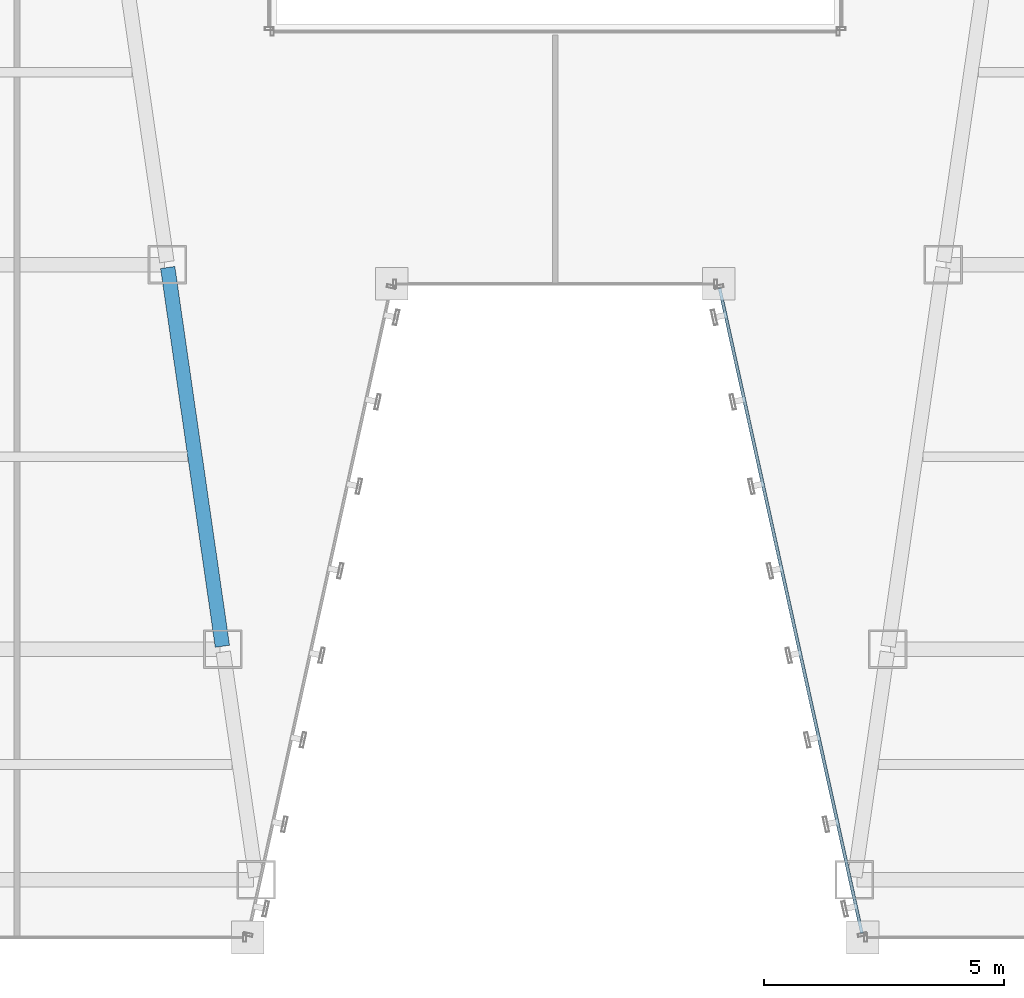
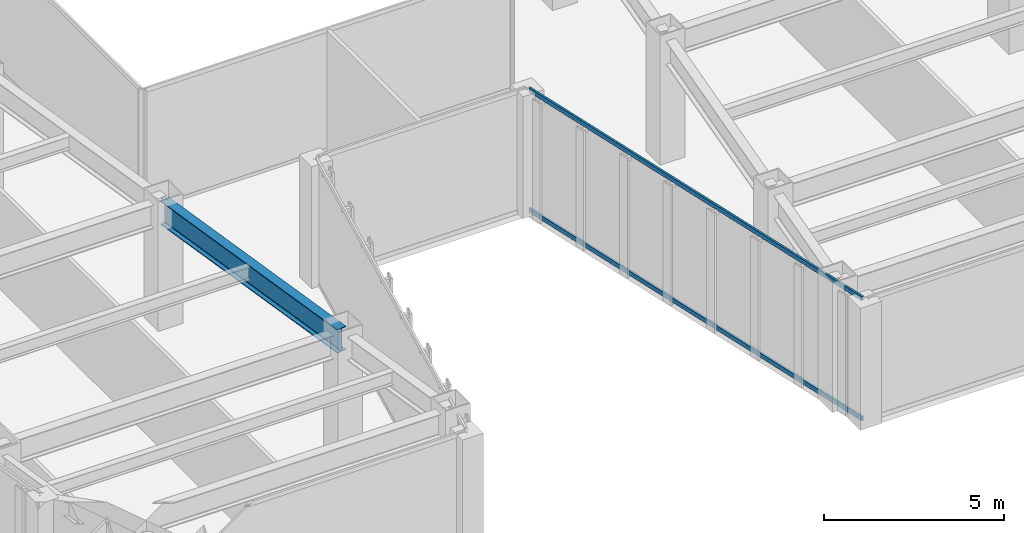
# One storey, part 8 of 47: 2 members, 1 beam, 1 element without a shape of its own.
"""IFC4 building model written with IfcOpenShell, lengths in metres."""

from ifc_helpers import new_model, si_unit, direction, frame, origin, origin_2d, place, context, subcontext, project, spatial, hollow_rectangle, i_section, extrude, material, material_profile, profile_set, type_object, element, aggregate, save


model = new_model("IFC4")

# Units and contexts
model_context = context("Model", 3, precision=1e-05, world=origin(), true_north=direction((0.0, 1.0)))
body_context = subcontext(model_context, "Body", "Model", "MODEL_VIEW")
ifc_project = project(units=[si_unit("LENGTHUNIT", "METRE"), si_unit("AREAUNIT", "SQUARE_METRE"), si_unit("VOLUMEUNIT", "CUBIC_METRE"), si_unit("PLANEANGLEUNIT", "RADIAN"), si_unit("MASSUNIT", "GRAM", prefix="KILO")], contexts=[model_context])

# Site, building, storey
site_placement = place(None, origin())
site = spatial("IfcSite", under=ifc_project, at=site_placement, CompositionType="ELEMENT")
building_placement = place(site_placement, origin())
building = spatial("IfcBuilding", under=site, at=building_placement, Name="Saevonmaru Cultural Tower", CompositionType="ELEMENT")
storey_placement = place(building_placement, frame((0.0, 0.0, 47.199951171875)))
storey = spatial("IfcBuildingStorey", under=building, at=storey_placement, Name="L09", CompositionType="ELEMENT", Elevation=47.199951171875)

# Beam
ifc_material_1 = material(Name="Steel SM420", Category="steel")
ifc_material_profile_1 = material_profile(ifc_material_1, i_section(OverallWidth=0.300048828125, OverallDepth=0.800048828125, WebThickness=0.013916015625, FlangeThickness=0.02587890625, FilletRadius=0.028076171875, at=origin_2d()), Name="H-800x300x14x26")
ifc_profile_set_1 = profile_set([ifc_material_profile_1], Name="Steel SM420")
beam_type = type_object("IfcBeamType", Name="BM-G-H800", PredefinedType="BEAM", material=ifc_profile_set_1)
beam_placement = place(storey_placement, frame((23.074462890625, 8.059326171875, 3.75), z_axis=(-0.142902032203, 0.989736838353, 0.0), x_axis=(-0.989736838353, -0.142902032203, 0.0)))
element("IfcBeam", 1, at=beam_placement, inside=storey, type_object=beam_type, Name="L09 West Atrium Girder 2", PredefinedType="BEAM", context=body_context, shape_type="SweptSolid", body=[
    extrude(i_section(OverallWidth=0.300048828125, OverallDepth=0.800048828125, WebThickness=0.013916015625, FlangeThickness=0.02587890625, FilletRadius=0.028076171875, at=origin_2d()), origin(), (0.0, 0.0, 1.0), 7.963134765625),
])

# Curtain wall, members
ifc_material_2 = material(Name="Satin Bronze Anodised Aluminium", Category="aluminium")
curtain_wall_type = type_object("IfcCurtainWallType", Name="CW-TYP-A", PredefinedType="NOTDEFINED", material=ifc_material_2)
curtain_wall_placement = place(storey_placement, origin())
curtain_wall = element("IfcCurtainWall", 2, at=curtain_wall_placement, inside=storey, type_object=curtain_wall_type, Name="L09 Unitised Curtain Wall E5", PredefinedType="NOTDEFINED")
ifc_material_profile_2 = material_profile(ifc_material_2, hollow_rectangle(XDim=0.06494140625, YDim=0.14990234375, WallThickness=0.00390625, at=origin_2d()), Name="ALU-TRAN-150x65x4")
ifc_profile_set_2 = profile_set([ifc_material_profile_2], Name="Satin Bronze Anodised Aluminium")
member_type = type_object("IfcMemberType", Name="TR-CW-150x65", PredefinedType="USERDEFINED", material=ifc_profile_set_2)
member_1_placement = place(storey_placement, frame((33.419921875, 15.509765625, 0.032470703125), z_axis=(0.21541214732, -0.976523223885, 0.0), x_axis=(0.976523223885, 0.21541214732, 0.0)))
member_1 = element("IfcMember", 3, at=member_1_placement, type_object=member_type, Name="CW-TW-L09-E5 transom 1.1", ObjectType="TRANSOM", PredefinedType="USERDEFINED", context=body_context, shape_type="SweptSolid", body=[
    extrude(hollow_rectangle(XDim=0.06494140625, YDim=0.14990234375, WallThickness=0.00390625, at=origin_2d()), origin(), (0.0, 0.0, 1.0), 13.741943359375),
])
member_2_placement = place(storey_placement, frame((33.419921875, 15.509765625, 4.117431640625), z_axis=(0.21541214732, -0.976523223885, 0.0), x_axis=(0.976523223885, 0.21541214732, 0.0)))
member_2 = element("IfcMember", 4, at=member_2_placement, type_object=member_type, Name="CW-TW-L09-E5 transom 1.2", ObjectType="TRANSOM", PredefinedType="USERDEFINED", context=body_context, shape_type="SweptSolid", body=[
    extrude(hollow_rectangle(XDim=0.06494140625, YDim=0.14990234375, WallThickness=0.00390625, at=origin_2d()), origin(), (0.0, 0.0, 1.0), 13.741943359375),
])
aggregate(curtain_wall, [member_1, member_2])

save(model, "model.ifc")
